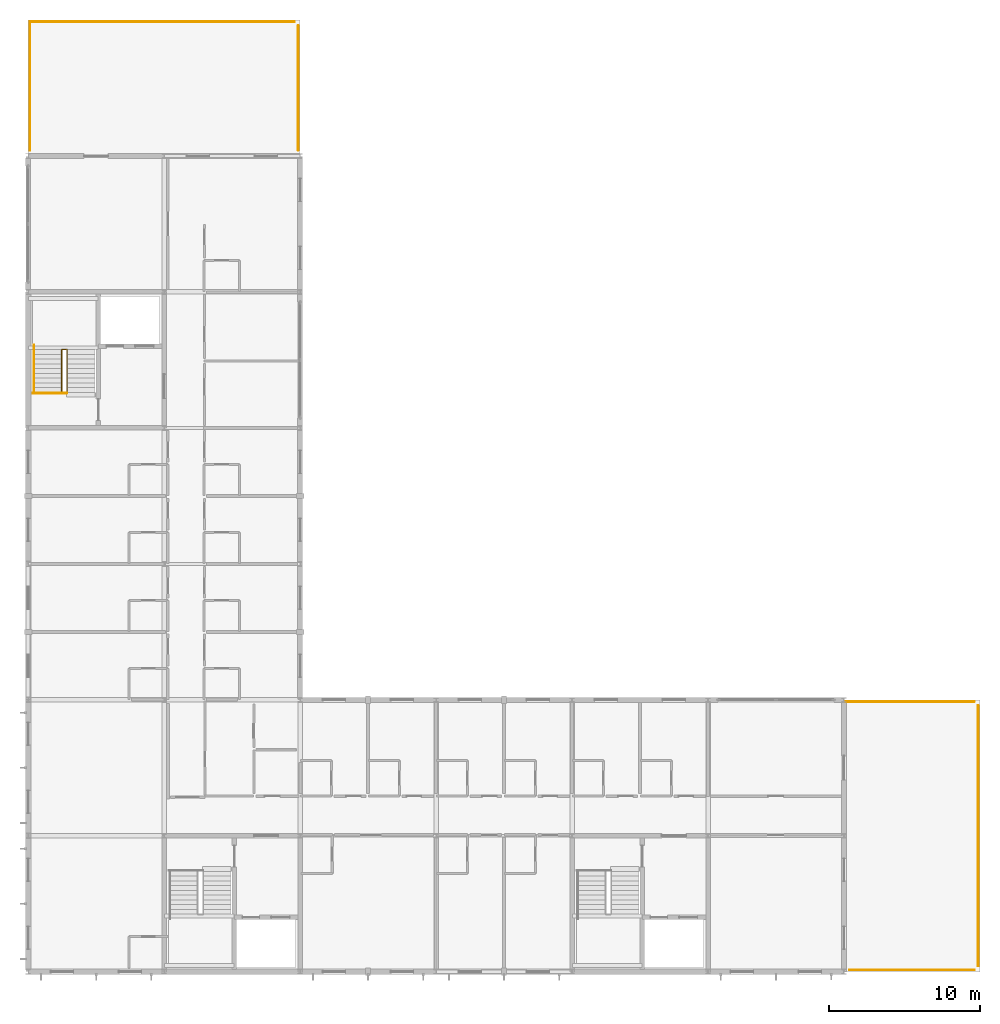
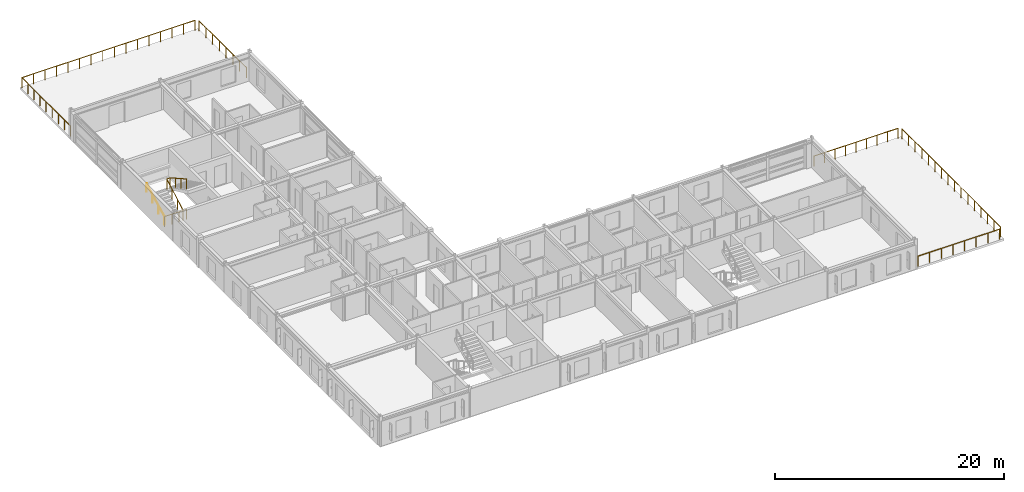
# One storey, part 18 of 18: 9 railings.
"""IFC4 building model written with IfcOpenShell, lengths in metres."""

from ifc_helpers import new_model, si_unit, direction, frame, origin, origin_2d, place, context, subcontext, project, spatial, circle, extrude, material, type_object, element, save


model = new_model("IFC4")

# Units and contexts
model_context = context("Model", 3, precision=1e-05, world=origin(), true_north=direction((0.0, 1.0)))
body_context = subcontext(model_context, "Body", "Model", "MODEL_VIEW")
ifc_project = project(units=[si_unit("LENGTHUNIT", "METRE"), si_unit("AREAUNIT", "SQUARE_METRE"), si_unit("VOLUMEUNIT", "CUBIC_METRE"), si_unit("PLANEANGLEUNIT", "RADIAN"), si_unit("MASSUNIT", "GRAM", prefix="KILO")], contexts=[model_context])

# Site, building, storey
site_placement = place(None, origin())
site = spatial("IfcSite", under=ifc_project, at=site_placement, CompositionType="ELEMENT")
building_placement = place(site_placement, origin())
building = spatial("IfcBuilding", under=site, at=building_placement, Name="Palais des Congres Ocreval", CompositionType="ELEMENT")
storey_placement = place(building_placement, frame((0.0, 0.0, 23.679931640625)))
storey = spatial("IfcBuildingStorey", under=building, at=storey_placement, Name="L07", CompositionType="ELEMENT", Elevation=23.679931640625)

# Railings
ifc_material_1 = material(Name="Anodized bronze aluminium", Category="aluminium")
railing_type_1 = type_object("IfcRailingType", Name="Bronze Stair and Ramp Handrail 900", PredefinedType="HANDRAIL", material=ifc_material_1)
railing_1_placement = place(storey_placement, frame((0.3798828125, 38.35009765625, 0.16015625)))
element("IfcRailing", 1, at=railing_1_placement, inside=storey, type_object=railing_type_1, Name="Stair Wall Handrail ST03 L07", PredefinedType="HANDRAIL", context=body_context, shape_type="SweptSolid", body=[
    extrude(circle(Radius=0.02392578125, at=origin_2d()), frame((0.0, 0.0, 0.8759765625), z_axis=(0.0, 0.891589940093, 0.452843658148), x_axis=(-1.0, 0.0, 0.0)), (0.0, 0.0, 1.0), 3.532958984375),
    extrude(circle(Radius=0.02099609375, at=origin_2d()), origin(), (0.0, 0.0, 1.0), 0.851806640625),
    extrude(circle(Radius=0.02099609375, at=origin_2d()), frame((0.0, 1.050048828125, 0.533203125)), (0.0, 0.0, 1.0), 0.851806640625),
    extrude(circle(Radius=0.02099609375, at=origin_2d()), frame((0.0, 2.099853515625, 1.066650390625)), (0.0, 0.0, 1.0), 0.851806640625),
    extrude(circle(Radius=0.02099609375, at=origin_2d()), frame((0.0, 3.14990234375, 1.599853515625)), (0.0, 0.0, 1.0), 0.851806640625),
])
ifc_material_2 = material(Name="Steel S355", Category="steel")
railing_type_2 = type_object("IfcRailingType", Name="Stairwell Steel Guardrail 1100", PredefinedType="GUARDRAIL", material=ifc_material_2)
railing_2_placement = place(storey_placement, frame((0.320068359375, 38.300048828125, 0.0)))
element("IfcRailing", 2, at=railing_2_placement, inside=storey, type_object=railing_type_2, Name="Stairwell Landing Edge Guard ST03 L07", PredefinedType="GUARDRAIL", context=body_context, shape_type="SweptSolid", body=[
    extrude(circle(Radius=0.02392578125, at=origin_2d()), frame((0.0, 0.0, 1.076171875), z_axis=(1.0, 0.0, 0.0), x_axis=(0.0, 1.0, 0.0)), (0.0, 0.0, 1.0), 2.25),
    extrude(circle(Radius=0.02099609375, at=origin_2d()), origin(), (0.0, 0.0, 1.0), 1.052001953125),
    extrude(circle(Radius=0.02099609375, at=origin_2d()), frame((0.75, 0.0, 0.0)), (0.0, 0.0, 1.0), 1.052001953125),
    extrude(circle(Radius=0.02099609375, at=origin_2d()), frame((1.5, 0.0, 0.0)), (0.0, 0.0, 1.0), 1.052001953125),
    extrude(circle(Radius=0.02099609375, at=origin_2d()), frame((2.25, 0.0, 0.0)), (0.0, 0.0, 1.0), 1.052001953125),
])
railing_3_placement = place(storey_placement, frame((2.22998046875, 38.35009765625, 0.0)))
element("IfcRailing", 3, at=railing_3_placement, inside=storey, type_object=railing_type_2, Name="Stair Inner Guardrail ST03 L07", PredefinedType="GUARDRAIL", context=body_context, shape_type="SweptSolid", body=[
    extrude(circle(Radius=0.02392578125, at=origin_2d()), frame((0.0, 0.0, 1.076171875), z_axis=(0.0, 0.870861590408, 0.491528321007), x_axis=(-1.0, 0.0, 0.0)), (0.0, 0.0, 1.0), 3.25537109375),
    extrude(circle(Radius=0.02392578125, at=origin_2d()), frame((0.0, 2.8349609375, 2.67626953125), z_axis=(1.0, 0.0, 0.0), x_axis=(0.0, 1.0, 0.0)), (0.0, 0.0, 1.0), 0.340087890625),
    extrude(circle(Radius=0.02392578125, at=origin_2d()), frame((0.340087890625, 2.8349609375, 2.67626953125), z_axis=(0.0, -0.870893692303, 0.491471440377), x_axis=(1.0, 0.0, 0.0)), (0.0, 0.0, 1.0), 3.255126953125),
    extrude(circle(Radius=0.02099609375, at=origin_2d()), origin(), (0.0, 0.0, 1.0), 1.052001953125),
    extrude(circle(Radius=0.02099609375, at=origin_2d()), frame((0.0, 0.945068359375, 0.533447265625)), (0.0, 0.0, 1.0), 1.052001953125),
    extrude(circle(Radius=0.02099609375, at=origin_2d()), frame((0.0, 1.889892578125, 1.066650390625)), (0.0, 0.0, 1.0), 1.052001953125),
    extrude(circle(Radius=0.02099609375, at=origin_2d()), frame((0.0, 2.8349609375, 1.60009765625)), (0.0, 0.0, 1.0), 1.052001953125),
    extrude(circle(Radius=0.02099609375, at=origin_2d()), frame((0.340087890625, 2.8349609375, 1.60009765625)), (0.0, 0.0, 1.0), 1.052001953125),
    extrude(circle(Radius=0.02099609375, at=origin_2d()), frame((0.340087890625, 1.889892578125, 2.13330078125)), (0.0, 0.0, 1.0), 1.052001953125),
    extrude(circle(Radius=0.02099609375, at=origin_2d()), frame((0.340087890625, 0.945068359375, 2.666748046875)), (0.0, 0.0, 1.0), 1.052001953125),
    extrude(circle(Radius=0.02099609375, at=origin_2d()), frame((0.340087890625, 0.0, 3.199951171875)), (0.0, 0.0, 1.0), 1.052001953125),
])
railing_type_3 = type_object("IfcRailingType", Name="Terrace Bronze Balustrade 1100", PredefinedType="BALUSTRADE", material=ifc_material_1)
railing_4_placement = place(storey_placement, frame((54.3798828125, 0.1201171875, 0.0)))
element("IfcRailing", 4, at=railing_4_placement, inside=storey, type_object=railing_type_3, Name="Terrace Guard Balustrade TER-L07-V4E-1", PredefinedType="BALUSTRADE", context=body_context, shape_type="SweptSolid", body=[
    extrude(circle(Radius=0.02392578125, at=origin_2d()), frame((0.0, 0.0, 1.076171875), z_axis=(1.0, 0.0, 0.0), x_axis=(0.0, 1.0, 0.0)), (0.0, 0.0, 1.0), 8.240234375),
    extrude(circle(Radius=0.02099609375, at=origin_2d()), origin(), (0.0, 0.0, 1.0), 1.052001953125),
    extrude(circle(Radius=0.02099609375, at=origin_2d()), frame((1.17724609375, 0.0, 0.0)), (0.0, 0.0, 1.0), 1.052001953125),
    extrude(circle(Radius=0.02099609375, at=origin_2d()), frame((2.354248046875, 0.0, 0.0)), (0.0, 0.0, 1.0), 1.052001953125),
    extrude(circle(Radius=0.02099609375, at=origin_2d()), frame((3.531494140625, 0.0, 0.0)), (0.0, 0.0, 1.0), 1.052001953125),
    extrude(circle(Radius=0.02099609375, at=origin_2d()), frame((4.708740234375, 0.0, 0.0)), (0.0, 0.0, 1.0), 1.052001953125),
    extrude(circle(Radius=0.02099609375, at=origin_2d()), frame((5.885986328125, 0.0, 0.0)), (0.0, 0.0, 1.0), 1.052001953125),
    extrude(circle(Radius=0.02099609375, at=origin_2d()), frame((7.06298828125, 0.0, 0.0)), (0.0, 0.0, 1.0), 1.052001953125),
    extrude(circle(Radius=0.02099609375, at=origin_2d()), frame((8.240234375, 0.0, 0.0)), (0.0, 0.0, 1.0), 1.052001953125),
])
railing_5_placement = place(storey_placement, frame((62.8798828125, 0.3798828125, 0.0)))
element("IfcRailing", 5, at=railing_5_placement, inside=storey, type_object=railing_type_3, Name="Terrace Guard Balustrade TER-L07-V4E-2", PredefinedType="BALUSTRADE", context=body_context, shape_type="SweptSolid", body=[
    extrude(circle(Radius=0.02392578125, at=origin_2d()), frame((0.0, 0.0, 1.076171875), z_axis=(0.0, 1.0, 0.0), x_axis=(-1.0, 0.0, 0.0)), (0.0, 0.0, 1.0), 17.240234375),
    extrude(circle(Radius=0.02099609375, at=origin_2d()), origin(), (0.0, 0.0, 1.0), 1.052001953125),
    extrude(circle(Radius=0.02099609375, at=origin_2d()), frame((0.0, 1.1494140625, 0.0)), (0.0, 0.0, 1.0), 1.052001953125),
    extrude(circle(Radius=0.02099609375, at=origin_2d()), frame((0.0, 2.298583984375, 0.0)), (0.0, 0.0, 1.0), 1.052001953125),
    extrude(circle(Radius=0.02099609375, at=origin_2d()), frame((0.0, 3.447998046875, 0.0)), (0.0, 0.0, 1.0), 1.052001953125),
    extrude(circle(Radius=0.02099609375, at=origin_2d()), frame((0.0, 4.597412109375, 0.0)), (0.0, 0.0, 1.0), 1.052001953125),
    extrude(circle(Radius=0.02099609375, at=origin_2d()), frame((0.0, 5.746826171875, 0.0)), (0.0, 0.0, 1.0), 1.052001953125),
    extrude(circle(Radius=0.02099609375, at=origin_2d()), frame((0.0, 6.89599609375, 0.0)), (0.0, 0.0, 1.0), 1.052001953125),
    extrude(circle(Radius=0.02099609375, at=origin_2d()), frame((0.0, 8.04541015625, 0.0)), (0.0, 0.0, 1.0), 1.052001953125),
    extrude(circle(Radius=0.02099609375, at=origin_2d()), frame((0.0, 9.19482421875, 0.0)), (0.0, 0.0, 1.0), 1.052001953125),
    extrude(circle(Radius=0.02099609375, at=origin_2d()), frame((0.0, 10.34423828125, 0.0)), (0.0, 0.0, 1.0), 1.052001953125),
    extrude(circle(Radius=0.02099609375, at=origin_2d()), frame((0.0, 11.493408203125, 0.0)), (0.0, 0.0, 1.0), 1.052001953125),
    extrude(circle(Radius=0.02099609375, at=origin_2d()), frame((0.0, 12.642822265625, 0.0)), (0.0, 0.0, 1.0), 1.052001953125),
    extrude(circle(Radius=0.02099609375, at=origin_2d()), frame((0.0, 13.792236328125, 0.0)), (0.0, 0.0, 1.0), 1.052001953125),
    extrude(circle(Radius=0.02099609375, at=origin_2d()), frame((0.0, 14.941650390625, 0.0)), (0.0, 0.0, 1.0), 1.052001953125),
    extrude(circle(Radius=0.02099609375, at=origin_2d()), frame((0.0, 16.0908203125, 0.0)), (0.0, 0.0, 1.0), 1.052001953125),
    extrude(circle(Radius=0.02099609375, at=origin_2d()), frame((0.0, 17.240234375, 0.0)), (0.0, 0.0, 1.0), 1.052001953125),
])
railing_6_placement = place(storey_placement, frame((62.6201171875, 17.8798828125, 0.0)))
element("IfcRailing", 6, at=railing_6_placement, inside=storey, type_object=railing_type_3, Name="Terrace Guard Balustrade TER-L07-V4E-3", PredefinedType="BALUSTRADE", context=body_context, shape_type="SweptSolid", body=[
    extrude(circle(Radius=0.02392578125, at=origin_2d()), frame((0.0, 0.0, 1.076171875), z_axis=(-1.0, 0.0, 0.0), x_axis=(0.0, -1.0, 0.0)), (0.0, 0.0, 1.0), 8.5),
    extrude(circle(Radius=0.02099609375, at=origin_2d()), origin(), (0.0, 0.0, 1.0), 1.052001953125),
    extrude(circle(Radius=0.02099609375, at=origin_2d()), frame((-1.0625, 0.0, 0.0)), (0.0, 0.0, 1.0), 1.052001953125),
    extrude(circle(Radius=0.02099609375, at=origin_2d()), frame((-2.125, 0.0, 0.0)), (0.0, 0.0, 1.0), 1.052001953125),
    extrude(circle(Radius=0.02099609375, at=origin_2d()), frame((-3.1875, 0.0, 0.0)), (0.0, 0.0, 1.0), 1.052001953125),
    extrude(circle(Radius=0.02099609375, at=origin_2d()), frame((-4.25, 0.0, 0.0)), (0.0, 0.0, 1.0), 1.052001953125),
    extrude(circle(Radius=0.02099609375, at=origin_2d()), frame((-5.3125, 0.0, 0.0)), (0.0, 0.0, 1.0), 1.052001953125),
    extrude(circle(Radius=0.02099609375, at=origin_2d()), frame((-6.375, 0.0, 0.0)), (0.0, 0.0, 1.0), 1.052001953125),
    extrude(circle(Radius=0.02099609375, at=origin_2d()), frame((-7.4375, 0.0, 0.0)), (0.0, 0.0, 1.0), 1.052001953125),
    extrude(circle(Radius=0.02099609375, at=origin_2d()), frame((-8.5, 0.0, 0.0)), (0.0, 0.0, 1.0), 1.052001953125),
])
railing_7_placement = place(storey_placement, frame((17.8798828125, 54.3798828125, 0.0)))
element("IfcRailing", 7, at=railing_7_placement, inside=storey, type_object=railing_type_3, Name="Terrace Guard Balustrade TER-L07-V4N-2", PredefinedType="BALUSTRADE", context=body_context, shape_type="SweptSolid", body=[
    extrude(circle(Radius=0.02392578125, at=origin_2d()), frame((0.0, 0.0, 1.076171875), z_axis=(0.0, 1.0, 0.0), x_axis=(-1.0, 0.0, 0.0)), (0.0, 0.0, 1.0), 8.240234375),
    extrude(circle(Radius=0.02099609375, at=origin_2d()), origin(), (0.0, 0.0, 1.0), 1.052001953125),
    extrude(circle(Radius=0.02099609375, at=origin_2d()), frame((0.0, 1.17724609375, 0.0)), (0.0, 0.0, 1.0), 1.052001953125),
    extrude(circle(Radius=0.02099609375, at=origin_2d()), frame((0.0, 2.354248046875, 0.0)), (0.0, 0.0, 1.0), 1.052001953125),
    extrude(circle(Radius=0.02099609375, at=origin_2d()), frame((0.0, 3.531494140625, 0.0)), (0.0, 0.0, 1.0), 1.052001953125),
    extrude(circle(Radius=0.02099609375, at=origin_2d()), frame((0.0, 4.708740234375, 0.0)), (0.0, 0.0, 1.0), 1.052001953125),
    extrude(circle(Radius=0.02099609375, at=origin_2d()), frame((0.0, 5.885986328125, 0.0)), (0.0, 0.0, 1.0), 1.052001953125),
    extrude(circle(Radius=0.02099609375, at=origin_2d()), frame((0.0, 7.06298828125, 0.0)), (0.0, 0.0, 1.0), 1.052001953125),
    extrude(circle(Radius=0.02099609375, at=origin_2d()), frame((0.0, 8.240234375, 0.0)), (0.0, 0.0, 1.0), 1.052001953125),
])
railing_8_placement = place(storey_placement, frame((17.6201171875, 62.8798828125, 0.0)))
element("IfcRailing", 8, at=railing_8_placement, inside=storey, type_object=railing_type_3, Name="Terrace Guard Balustrade TER-L07-V4N-3", PredefinedType="BALUSTRADE", context=body_context, shape_type="SweptSolid", body=[
    extrude(circle(Radius=0.02392578125, at=origin_2d()), frame((0.0, 0.0, 1.076171875), z_axis=(-1.0, 0.0, 0.0), x_axis=(0.0, -1.0, 0.0)), (0.0, 0.0, 1.0), 17.5),
    extrude(circle(Radius=0.02099609375, at=origin_2d()), origin(), (0.0, 0.0, 1.0), 1.052001953125),
    extrude(circle(Radius=0.02099609375, at=origin_2d()), frame((-1.166748046875, 0.0, 0.0)), (0.0, 0.0, 1.0), 1.052001953125),
    extrude(circle(Radius=0.02099609375, at=origin_2d()), frame((-2.333251953125, 0.0, 0.0)), (0.0, 0.0, 1.0), 1.052001953125),
    extrude(circle(Radius=0.02099609375, at=origin_2d()), frame((-3.5, 0.0, 0.0)), (0.0, 0.0, 1.0), 1.052001953125),
    extrude(circle(Radius=0.02099609375, at=origin_2d()), frame((-4.666748046875, 0.0, 0.0)), (0.0, 0.0, 1.0), 1.052001953125),
    extrude(circle(Radius=0.02099609375, at=origin_2d()), frame((-5.833251953125, 0.0, 0.0)), (0.0, 0.0, 1.0), 1.052001953125),
    extrude(circle(Radius=0.02099609375, at=origin_2d()), frame((-7.0, 0.0, 0.0)), (0.0, 0.0, 1.0), 1.052001953125),
    extrude(circle(Radius=0.02099609375, at=origin_2d()), frame((-8.166748046875, 0.0, 0.0)), (0.0, 0.0, 1.0), 1.052001953125),
    extrude(circle(Radius=0.02099609375, at=origin_2d()), frame((-9.333251953125, 0.0, 0.0)), (0.0, 0.0, 1.0), 1.052001953125),
    extrude(circle(Radius=0.02099609375, at=origin_2d()), frame((-10.5, 0.0, 0.0)), (0.0, 0.0, 1.0), 1.052001953125),
    extrude(circle(Radius=0.02099609375, at=origin_2d()), frame((-11.666748046875, 0.0, 0.0)), (0.0, 0.0, 1.0), 1.052001953125),
    extrude(circle(Radius=0.02099609375, at=origin_2d()), frame((-12.833251953125, 0.0, 0.0)), (0.0, 0.0, 1.0), 1.052001953125),
    extrude(circle(Radius=0.02099609375, at=origin_2d()), frame((-14.0, 0.0, 0.0)), (0.0, 0.0, 1.0), 1.052001953125),
    extrude(circle(Radius=0.02099609375, at=origin_2d()), frame((-15.166748046875, 0.0, 0.0)), (0.0, 0.0, 1.0), 1.052001953125),
    extrude(circle(Radius=0.02099609375, at=origin_2d()), frame((-16.333251953125, 0.0, 0.0)), (0.0, 0.0, 1.0), 1.052001953125),
    extrude(circle(Radius=0.02099609375, at=origin_2d()), frame((-17.5, 0.0, 0.0)), (0.0, 0.0, 1.0), 1.052001953125),
])
railing_9_placement = place(storey_placement, frame((0.1201171875, 62.8798828125, 0.0)))
element("IfcRailing", 9, at=railing_9_placement, inside=storey, type_object=railing_type_3, Name="Terrace Guard Balustrade TER-L07-V4N-4", PredefinedType="BALUSTRADE", context=body_context, shape_type="SweptSolid", body=[
    extrude(circle(Radius=0.02392578125, at=origin_2d()), frame((0.0, 0.0, 1.076171875), z_axis=(0.0, -1.0, 0.0), x_axis=(1.0, 0.0, 0.0)), (0.0, 0.0, 1.0), 8.5),
    extrude(circle(Radius=0.02099609375, at=origin_2d()), origin(), (0.0, 0.0, 1.0), 1.052001953125),
    extrude(circle(Radius=0.02099609375, at=origin_2d()), frame((0.0, -1.0625, 0.0)), (0.0, 0.0, 1.0), 1.052001953125),
    extrude(circle(Radius=0.02099609375, at=origin_2d()), frame((0.0, -2.125, 0.0)), (0.0, 0.0, 1.0), 1.052001953125),
    extrude(circle(Radius=0.02099609375, at=origin_2d()), frame((0.0, -3.1875, 0.0)), (0.0, 0.0, 1.0), 1.052001953125),
    extrude(circle(Radius=0.02099609375, at=origin_2d()), frame((0.0, -4.25, 0.0)), (0.0, 0.0, 1.0), 1.052001953125),
    extrude(circle(Radius=0.02099609375, at=origin_2d()), frame((0.0, -5.3125, 0.0)), (0.0, 0.0, 1.0), 1.052001953125),
    extrude(circle(Radius=0.02099609375, at=origin_2d()), frame((0.0, -6.375, 0.0)), (0.0, 0.0, 1.0), 1.052001953125),
    extrude(circle(Radius=0.02099609375, at=origin_2d()), frame((0.0, -7.4375, 0.0)), (0.0, 0.0, 1.0), 1.052001953125),
    extrude(circle(Radius=0.02099609375, at=origin_2d()), frame((0.0, -8.5, 0.0)), (0.0, 0.0, 1.0), 1.052001953125),
])

save(model, "model.ifc")
